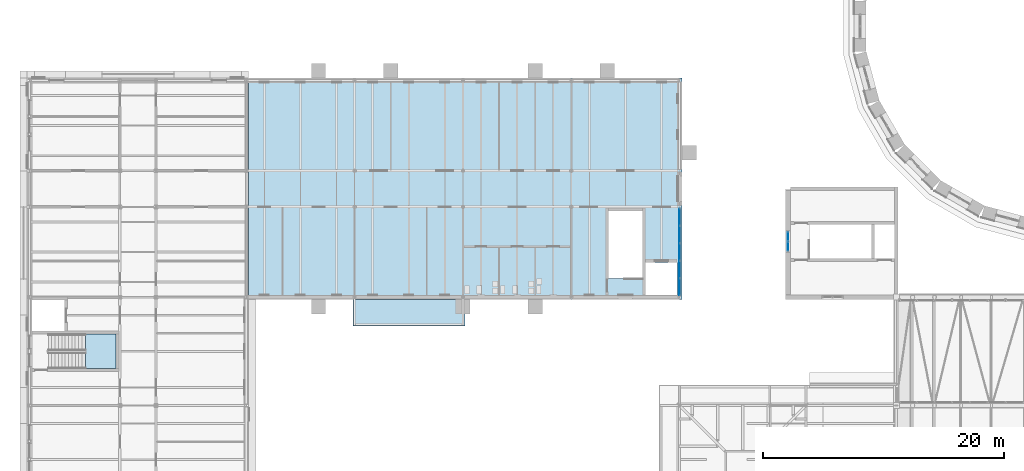
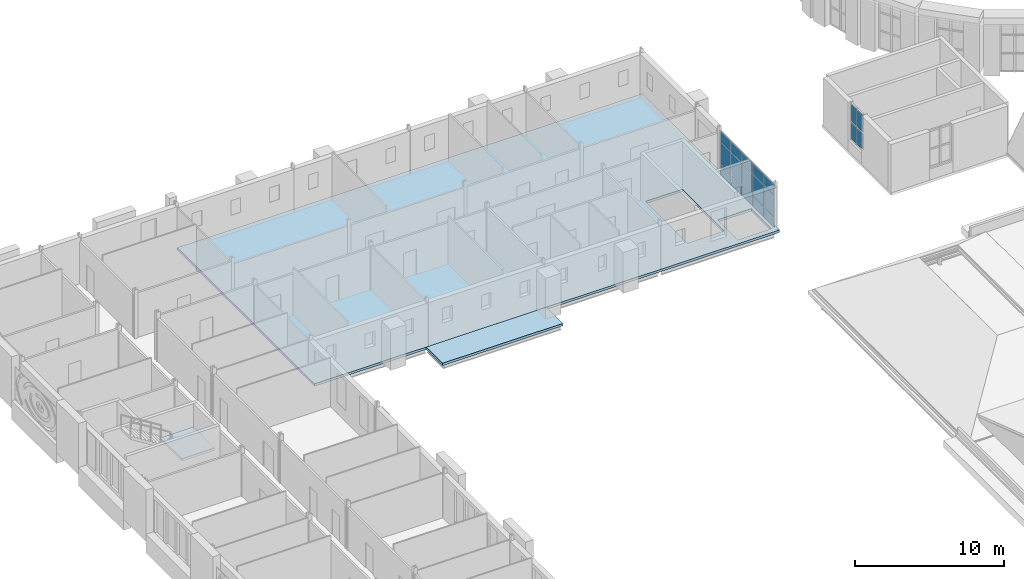
# One storey, part 81 of 121: 19 plates, 3 slabs, 3 elements without a shape of their own.
"""IFC4 building model written with IfcOpenShell, lengths in metres."""

import ifcopenshell
import ifcopenshell.guid

model = None  # the IFC model being written
_history = None  # IfcOwnerHistory: only IFC2X3 demands one
_inside = {}  # id of a spatial element -> (the spatial element, [elements in it])
_under = {}  # id of a project, library or spatial element -> (it, [spatial elements below it])
_declared = {}  # id of a project -> (the project, [libraries it declares])
_typed = {}  # id of a type object -> (the type object, [elements of that type])
_made_of = {}  # id of a material, layer set ... -> (it, [elements and type objects made of it])


def new_model(schema):
    """Start an empty IFC model of exactly this schema.

    Asked for "IFC4X3", IfcOpenShell would pick the latest addendum, in which some entities
    have other attributes; the version numbers below select the first issue.
    IFC2X3 requires an IfcOwnerHistory on every rooted entity: one is made here for all.
    """
    global model, _history
    if schema == "IFC4X3":
        model = ifcopenshell.file(schema_version=(4, 3, 0, 0))
    else:
        model = ifcopenshell.file(schema=schema)
    _inside.clear()
    _under.clear()
    _declared.clear()
    _typed.clear()
    _made_of.clear()
    _history = None
    if model.schema == "IFC2X3":
        org = make("IfcOrganization", Name="unknown")
        user = make(
            "IfcPersonAndOrganization",
            ThePerson=make("IfcPerson", FamilyName="unknown"),
            TheOrganization=org,
        )
        app = make(
            "IfcApplication",
            ApplicationDeveloper=org,
            Version="unknown",
            ApplicationFullName="unknown",
            ApplicationIdentifier="unknown",
        )
        _history = make(
            "IfcOwnerHistory",
            OwningUser=user,
            OwningApplication=app,
            ChangeAction="ADDED",
            CreationDate=0,
        )
    return model


def make(cls, **values):
    """One entity of the class cls with the attributes given. An attribute that is None is left unset."""
    return model.create_entity(
        cls, **{name: value for name, value in values.items() if value is not None}
    )


def rooted(cls, **values):
    """An entity with a GlobalId (a new one), such as an element, a storey or a relation."""
    return make(cls, GlobalId=ifcopenshell.guid.new(), OwnerHistory=_history, **values)


def si_unit(unit_type, name, prefix=None):
    """IfcSIUnit, for example si_unit("LENGTHUNIT", "METRE", prefix="MILLI")."""
    return make("IfcSIUnit", UnitType=unit_type, Prefix=prefix, Name=name)


def assignment(units):
    """IfcUnitAssignment: the units of a project."""
    return None if units is None else make("IfcUnitAssignment", Units=units)


def point(xyz):
    """IfcCartesianPoint."""
    return None if xyz is None else make("IfcCartesianPoint", Coordinates=xyz)


def direction(xyz):
    """IfcDirection."""
    return None if xyz is None else make("IfcDirection", DirectionRatios=xyz)


def frame(location, z_axis=None, x_axis=None):
    """IfcAxis2Placement3D, a coordinate frame: its origin and axes. An axis left out is left unset."""
    return make(
        "IfcAxis2Placement3D",
        Location=point(location),
        Axis=direction(z_axis),
        RefDirection=direction(x_axis),
    )


def frame_2d(location, x_axis=None):
    """IfcAxis2Placement2D, a coordinate frame in the plane: its origin and x axis."""
    return make(
        "IfcAxis2Placement2D", Location=point(location), RefDirection=direction(x_axis)
    )


def origin():
    """The frame at (0, 0, 0) with its axes left unset."""
    return frame((0.0, 0.0, 0.0))


def origin_2d():
    """The frame at (0, 0) in the plane with its x axis left unset."""
    return frame_2d((0.0, 0.0))


def place(relative_to, where):
    """IfcLocalPlacement: puts the frame where relative to a parent placement (None: the world)."""
    return make(
        "IfcLocalPlacement", PlacementRelTo=relative_to, RelativePlacement=where
    )


def context(
    kind, dimensions, precision=None, world=None, true_north=None, identifier=None
):
    """IfcGeometricRepresentationContext, for example the 3D "Model" context."""
    return make(
        "IfcGeometricRepresentationContext",
        ContextIdentifier=identifier,
        ContextType=kind,
        CoordinateSpaceDimension=dimensions,
        Precision=precision,
        WorldCoordinateSystem=world,
        TrueNorth=true_north,
    )


def subcontext(parent, identifier, kind, view, scale=None):
    """IfcGeometricRepresentationSubContext, for example "Body" below "Model"."""
    return make(
        "IfcGeometricRepresentationSubContext",
        ContextIdentifier=identifier,
        ContextType=kind,
        ParentContext=parent,
        TargetScale=scale,
        TargetView=view,
    )


def project(units=None, contexts=None):
    """IfcProject with its units and contexts."""
    return rooted(
        "IfcProject",
        Name="project",
        RepresentationContexts=contexts,
        UnitsInContext=assignment(units),
    )


def spatial(cls, under=None, at=None, **own):
    """A site, building, storey or space (cls), placed at a placement, below another one or the project."""
    s = rooted(cls, ObjectPlacement=at, **own)
    if under is not None:
        _under.setdefault(under.id(), (under, []))[1].append(s)
    return s


def polyline(points):
    """IfcPolyline through the points."""
    return make("IfcPolyline", Points=[point(p) for p in points])


def profile(cls, at=None, kind="AREA", **sizes):
    """A parametric profile (cls). Its sizes go by their IFC names, for example OverallWidth=200.0."""
    return make(cls, ProfileType=kind, Position=at, **sizes)


def rectangle(**sizes):
    """IfcRectangleProfileDef."""
    return profile("IfcRectangleProfileDef", **sizes)


def outline(outer, holes=None, kind="AREA"):
    """IfcArbitraryClosedProfileDef: a profile drawn as a closed curve; with holes, ...WithVoids."""
    if holes is None:
        return make("IfcArbitraryClosedProfileDef", ProfileType=kind, OuterCurve=outer)
    return make(
        "IfcArbitraryProfileDefWithVoids",
        ProfileType=kind,
        OuterCurve=outer,
        InnerCurves=holes,
    )


def extrude(swept, where, along, depth):
    """IfcExtrudedAreaSolid: the profile swept, set in the frame where, extruded along a direction by depth."""
    return make(
        "IfcExtrudedAreaSolid",
        SweptArea=swept,
        Position=where,
        ExtrudedDirection=direction(along),
        Depth=depth,
    )


def shape(context_of_items, identifier, shape_type, items):
    """IfcShapeRepresentation: the items that make up one representation, for example the "Body"."""
    return make(
        "IfcShapeRepresentation",
        ContextOfItems=context_of_items,
        RepresentationIdentifier=identifier,
        RepresentationType=shape_type,
        Items=items,
    )


def material(Name=None, Category=None):
    """IfcMaterial."""
    return make("IfcMaterial", Name=Name, Category=Category)


def layer(
    of_material, thickness, ventilated=None, Name=None, Category=None, Priority=None
):
    """IfcMaterialLayer: one layer of a wall or slab, of a material (None: an air gap)."""
    return make(
        "IfcMaterialLayer",
        Material=of_material,
        LayerThickness=thickness,
        IsVentilated=ventilated,
        Name=Name,
        Category=Category,
        Priority=Priority,
    )


def layer_set(layers, Name=None):
    """IfcMaterialLayerSet."""
    return make("IfcMaterialLayerSet", MaterialLayers=layers, LayerSetName=Name)


def made_of(thing, what):
    """Note that an element or type object is made of a material, layer set ...; save() writes the relation."""
    if what is not None:
        _made_of.setdefault(what.id(), (what, []))[1].append(thing)
    return thing


def type_object(cls, material=None, **own):
    """A type object (cls), such as IfcWallType, which elements share."""
    return made_of(rooted(cls, **own), material)


def element(
    cls,
    number,
    at=None,
    inside=None,
    cuts=None,
    type_object=None,
    material=None,
    context=None,
    identifier="Body",
    shape_type=None,
    held_by="IfcProductDefinitionShape",
    body=None,
    shapes=None,
    **own,
):
    """One element of the class cls, such as IfcWall. Its Tag is "e" and its number.

    at: its placement. inside: the storey or other place that contains it. cuts: it is an
    opening in that element (IfcRelVoidsElement). A single representation is given by context,
    identifier, shape_type and body (its items); several are given by shapes. held_by: the class
    of the entity that holds the representations. save() writes the other relations.
    """
    e = rooted(cls, Tag="e%d" % number, ObjectPlacement=at, **own)
    if body is not None:
        shapes = [shape(context, identifier, shape_type, body)]
    if shapes is not None:
        e.Representation = make(held_by, Representations=shapes)
    if inside is not None:
        _inside.setdefault(inside.id(), (inside, []))[1].append(e)
    if cuts is not None:
        rooted(
            "IfcRelVoidsElement", RelatingBuildingElement=cuts, RelatedOpeningElement=e
        )
    if type_object is not None:
        _typed.setdefault(type_object.id(), (type_object, []))[1].append(e)
    return made_of(e, material)


def aggregate(whole, parts):
    """IfcRelAggregates: a whole, such as a stair, and the parts it consists of."""
    return rooted("IfcRelAggregates", RelatingObject=whole, RelatedObjects=parts)


def save(model, path):
    """Write the relations noted so far, then the file.

    IfcRelAggregates (storeys below a building ...), IfcRelContainedInSpatialStructure (elements
    in a storey), IfcRelDefinesByType, IfcRelAssociatesMaterial and IfcRelDeclares: one each for
    every whole, place, type object, material and project.
    """
    for whole, parts in _under.values():
        aggregate(whole, parts)
    for where, things in _inside.values():
        rooted(
            "IfcRelContainedInSpatialStructure",
            RelatedElements=things,
            RelatingStructure=where,
        )
    for kind, things in _typed.values():
        rooted("IfcRelDefinesByType", RelatedObjects=things, RelatingType=kind)
    for what, things in _made_of.values():
        rooted("IfcRelAssociatesMaterial", RelatedObjects=things, RelatingMaterial=what)
    for by, libraries in _declared.values():
        rooted("IfcRelDeclares", RelatingContext=by, RelatedDefinitions=libraries)
    model.write(path)


model = new_model("IFC4")

# Units and contexts
model_context = context("Model", 3, precision=1e-05, world=origin(), true_north=direction((0.0, 1.0)))
body_context = subcontext(model_context, "Body", "Model", "MODEL_VIEW")
ifc_project = project(units=[si_unit("LENGTHUNIT", "METRE"), si_unit("AREAUNIT", "SQUARE_METRE"), si_unit("VOLUMEUNIT", "CUBIC_METRE"), si_unit("PLANEANGLEUNIT", "RADIAN"), si_unit("MASSUNIT", "GRAM", prefix="KILO")], contexts=[model_context])

# Site, building, storey
site_placement = place(None, origin())
site = spatial("IfcSite", under=ifc_project, at=site_placement, CompositionType="ELEMENT")
building_placement = place(site_placement, origin())
building = spatial("IfcBuilding", under=site, at=building_placement, Name="Golden Quay Civic Hall", CompositionType="ELEMENT")
storey_placement = place(building_placement, frame((0.0, 0.0, 18.60009765625)))
storey = spatial("IfcBuildingStorey", under=building, at=storey_placement, Name="L04", CompositionType="ELEMENT", Elevation=18.60009765625)

# Slab
ifc_material_1 = material(Name="Concrete C35/45", Category="concrete")
ifc_layer_1 = layer(ifc_material_1, 0.199951171875)
ifc_layer_set_1 = layer_set([ifc_layer_1], Name="Composite floor 200")
slab_type_1 = type_object("IfcSlabType", Name="Composite floor 200", PredefinedType="FLOOR", material=ifc_layer_set_1)
slab_1_placement = place(storey_placement, frame((0.0, 0.0, -0.2001953125)))
element("IfcSlab", 1, at=slab_1_placement, inside=storey, type_object=slab_type_1, Name="NW floor L04", PredefinedType="FLOOR", context=body_context, shape_type="SweptSolid", body=[
    extrude(outline(polyline([(18.199951171875, 62.800048828125), (18.199951171875, 81.199951171875), (54.199951171875, 81.199951171875), (54.199951171875, 62.800048828125), (18.199951171875, 62.800048828125)]), holes=[polyline([(48.074951171875, 70.175048828125), (48.074951171875, 64.554931640625), (50.925048828125, 64.554931640625), (50.925048828125, 70.175048828125), (48.074951171875, 70.175048828125)]), polyline([(53.800048828125, 65.89990234375), (51.175048828125, 65.89990234375), (51.175048828125, 63.199951171875), (53.800048828125, 63.199951171875), (53.800048828125, 65.89990234375)])]), origin(), (0.0, 0.0, 1.0), 0.2001953125),
])

# Stair, slab
ifc_material_2 = material(Name="Concrete C35/45", Category="concrete")
stair_type = type_object("IfcStairType", Name="Concrete stair 1350 wide 24 risers of 175.0", PredefinedType="HALF_TURN_STAIR", material=ifc_material_2)
stair_placement = place(storey_placement, origin())
stair = element("IfcStair", 2, at=stair_placement, inside=storey, type_object=stair_type, Name="L04 Stair WO-N", PredefinedType="HALF_TURN_STAIR")
ifc_material_3 = material(Name="Concrete C35/45", Category="concrete")
ifc_layer_2 = layer(ifc_material_3, 0.199951171875)
ifc_layer_set_2 = layer_set([ifc_layer_2], Name="Concrete stair landing 200, Concrete C35/45")
slab_type_2 = type_object("IfcSlabType", Name="Concrete stair landing 200", PredefinedType="LANDING", material=ifc_layer_set_2)
slab_2_placement = place(storey_placement, frame((0.0, 0.0, 1.89990234375)))
slab_2 = element("IfcSlab", 3, at=slab_2_placement, type_object=slab_type_2, Name="WO-N landing 1", PredefinedType="LANDING", context=body_context, shape_type="SweptSolid", body=[
    extrude(outline(polyline([(4.6298828125, 57.074951171875), (7.175048828125, 57.074951171875), (7.175048828125, 59.925048828125), (4.6298828125, 59.925048828125), (4.6298828125, 57.074951171875)])), origin(), (0.0, 0.0, 1.0), 0.199951171875),
])
aggregate(stair, [slab_2])

# Curtain wall, plates
ifc_material_4 = material(Name="Glass, laminated double glazed", Category="glass")
ifc_layer_3 = layer(ifc_material_4, 0.199951171875)
ifc_layer_set_3 = layer_set([ifc_layer_3], Name="Glazed core strip curtain wall")
curtain_wall_type_1 = type_object("IfcCurtainWallType", Name="Glazed core strip curtain wall", PredefinedType="NOTDEFINED", material=ifc_layer_set_3)
curtain_wall_1_placement = place(storey_placement, origin())
curtain_wall_1 = element("IfcCurtainWall", 4, at=curtain_wall_1_placement, inside=storey, type_object=curtain_wall_type_1, Name="Glazed core strip curtain wall L04 2", PredefinedType="NOTDEFINED")
ifc_material_5 = material(Name="Glass, laminated double glazed", Category="glass")
ifc_layer_4 = layer(ifc_material_5, 0.028076171875)
ifc_layer_set_4 = layer_set([ifc_layer_4], Name="Double glazed curtain wall panel 28")
plate_type_1 = type_object("IfcPlateType", Name="Double glazed curtain wall panel 28", PredefinedType="CURTAIN_PANEL", material=ifc_layer_set_4)
plate_1_placement = place(storey_placement, frame((54.0, 69.658935546875, 0.059814453125), z_axis=(0.0, 0.0, 1.0), x_axis=(0.0, -1.0, 0.0)))
plate_1 = element("IfcPlate", 5, at=plate_1_placement, type_object=plate_type_1, Name="CW2 panel 1.1", PredefinedType="CURTAIN_PANEL", context=body_context, shape_type="SweptSolid", body=[
    extrude(rectangle(XDim=1.3720703125, YDim=0.028076171875, at=origin_2d()), origin(), (0.0, 0.0, 1.0), 0.81005859375),
])
plate_2_placement = place(storey_placement, frame((54.0, 69.658935546875, 0.9296875), z_axis=(0.0, 0.0, 1.0), x_axis=(0.0, -1.0, 0.0)))
plate_2 = element("IfcPlate", 6, at=plate_2_placement, type_object=plate_type_1, Name="CW2 panel 1.2", PredefinedType="CURTAIN_PANEL", context=body_context, shape_type="SweptSolid", body=[
    extrude(rectangle(XDim=1.3720703125, YDim=0.028076171875, at=origin_2d()), origin(), (0.0, 0.0, 1.0), 1.739990234375),
])
plate_3_placement = place(storey_placement, frame((54.0, 69.658935546875, 2.72998046875), z_axis=(0.0, 0.0, 1.0), x_axis=(0.0, -1.0, 0.0)))
plate_3 = element("IfcPlate", 7, at=plate_3_placement, type_object=plate_type_1, Name="CW2 panel 1.3", PredefinedType="CURTAIN_PANEL", context=body_context, shape_type="SweptSolid", body=[
    extrude(rectangle(XDim=1.3720703125, YDim=0.028076171875, at=origin_2d()), origin(), (0.0, 0.0, 1.0), 0.830078125),
])
plate_4_placement = place(storey_placement, frame((54.0, 68.2119140625, 0.059814453125), z_axis=(0.0, 0.0, 1.0), x_axis=(0.0, -1.0, 0.0)))
plate_4 = element("IfcPlate", 8, at=plate_4_placement, type_object=plate_type_1, Name="CW2 panel 2.1", PredefinedType="CURTAIN_PANEL", context=body_context, shape_type="SweptSolid", body=[
    extrude(rectangle(XDim=1.402099609375, YDim=0.028076171875, at=origin_2d()), origin(), (0.0, 0.0, 1.0), 0.81005859375),
])
plate_5_placement = place(storey_placement, frame((54.0, 68.2119140625, 0.9296875), z_axis=(0.0, 0.0, 1.0), x_axis=(0.0, -1.0, 0.0)))
plate_5 = element("IfcPlate", 9, at=plate_5_placement, type_object=plate_type_1, Name="CW2 panel 2.2", PredefinedType="CURTAIN_PANEL", context=body_context, shape_type="SweptSolid", body=[
    extrude(rectangle(XDim=1.402099609375, YDim=0.028076171875, at=origin_2d()), origin(), (0.0, 0.0, 1.0), 1.739990234375),
])
plate_6_placement = place(storey_placement, frame((54.0, 68.2119140625, 2.72998046875), z_axis=(0.0, 0.0, 1.0), x_axis=(0.0, -1.0, 0.0)))
plate_6 = element("IfcPlate", 10, at=plate_6_placement, type_object=plate_type_1, Name="CW2 panel 2.3", PredefinedType="CURTAIN_PANEL", context=body_context, shape_type="SweptSolid", body=[
    extrude(rectangle(XDim=1.402099609375, YDim=0.028076171875, at=origin_2d()), origin(), (0.0, 0.0, 1.0), 0.830078125),
])
plate_7_placement = place(storey_placement, frame((54.0, 66.75, 0.059814453125), z_axis=(0.0, 0.0, 1.0), x_axis=(0.0, -1.0, 0.0)))
plate_7 = element("IfcPlate", 11, at=plate_7_placement, type_object=plate_type_1, Name="CW2 panel 3.1", PredefinedType="CURTAIN_PANEL", context=body_context, shape_type="SweptSolid", body=[
    extrude(rectangle(XDim=1.402099609375, YDim=0.028076171875, at=origin_2d()), origin(), (0.0, 0.0, 1.0), 0.81005859375),
])
plate_8_placement = place(storey_placement, frame((54.0, 66.75, 0.9296875), z_axis=(0.0, 0.0, 1.0), x_axis=(0.0, -1.0, 0.0)))
plate_8 = element("IfcPlate", 12, at=plate_8_placement, type_object=plate_type_1, Name="CW2 panel 3.2", PredefinedType="CURTAIN_PANEL", context=body_context, shape_type="SweptSolid", body=[
    extrude(rectangle(XDim=1.402099609375, YDim=0.028076171875, at=origin_2d()), origin(), (0.0, 0.0, 1.0), 1.739990234375),
])
plate_9_placement = place(storey_placement, frame((54.0, 66.75, 2.72998046875), z_axis=(0.0, 0.0, 1.0), x_axis=(0.0, -1.0, 0.0)))
plate_9 = element("IfcPlate", 13, at=plate_9_placement, type_object=plate_type_1, Name="CW2 panel 3.3", PredefinedType="CURTAIN_PANEL", context=body_context, shape_type="SweptSolid", body=[
    extrude(rectangle(XDim=1.402099609375, YDim=0.028076171875, at=origin_2d()), origin(), (0.0, 0.0, 1.0), 0.830078125),
])
plate_10_placement = place(storey_placement, frame((54.0, 65.2880859375, 0.059814453125), z_axis=(0.0, 0.0, 1.0), x_axis=(0.0, -1.0, 0.0)))
plate_10 = element("IfcPlate", 14, at=plate_10_placement, type_object=plate_type_1, Name="CW2 panel 4.1", PredefinedType="CURTAIN_PANEL", context=body_context, shape_type="SweptSolid", body=[
    extrude(rectangle(XDim=1.402099609375, YDim=0.028076171875, at=origin_2d()), origin(), (0.0, 0.0, 1.0), 0.81005859375),
])
plate_11_placement = place(storey_placement, frame((54.0, 65.2880859375, 0.9296875), z_axis=(0.0, 0.0, 1.0), x_axis=(0.0, -1.0, 0.0)))
plate_11 = element("IfcPlate", 15, at=plate_11_placement, type_object=plate_type_1, Name="CW2 panel 4.2", PredefinedType="CURTAIN_PANEL", context=body_context, shape_type="SweptSolid", body=[
    extrude(rectangle(XDim=1.402099609375, YDim=0.028076171875, at=origin_2d()), origin(), (0.0, 0.0, 1.0), 1.739990234375),
])
plate_12_placement = place(storey_placement, frame((54.0, 65.2880859375, 2.72998046875), z_axis=(0.0, 0.0, 1.0), x_axis=(0.0, -1.0, 0.0)))
plate_12 = element("IfcPlate", 16, at=plate_12_placement, type_object=plate_type_1, Name="CW2 panel 4.3", PredefinedType="CURTAIN_PANEL", context=body_context, shape_type="SweptSolid", body=[
    extrude(rectangle(XDim=1.402099609375, YDim=0.028076171875, at=origin_2d()), origin(), (0.0, 0.0, 1.0), 0.830078125),
])
plate_13_placement = place(storey_placement, frame((54.0, 63.841064453125, 0.059814453125), z_axis=(0.0, 0.0, 1.0), x_axis=(0.0, -1.0, 0.0)))
plate_13 = element("IfcPlate", 17, at=plate_13_placement, type_object=plate_type_1, Name="CW2 panel 5.1", PredefinedType="CURTAIN_PANEL", context=body_context, shape_type="SweptSolid", body=[
    extrude(rectangle(XDim=1.3720703125, YDim=0.028076171875, at=origin_2d()), origin(), (0.0, 0.0, 1.0), 0.81005859375),
])
plate_14_placement = place(storey_placement, frame((54.0, 63.841064453125, 0.9296875), z_axis=(0.0, 0.0, 1.0), x_axis=(0.0, -1.0, 0.0)))
plate_14 = element("IfcPlate", 18, at=plate_14_placement, type_object=plate_type_1, Name="CW2 panel 5.2", PredefinedType="CURTAIN_PANEL", context=body_context, shape_type="SweptSolid", body=[
    extrude(rectangle(XDim=1.3720703125, YDim=0.028076171875, at=origin_2d()), origin(), (0.0, 0.0, 1.0), 1.739990234375),
])
plate_15_placement = place(storey_placement, frame((54.0, 63.841064453125, 2.72998046875), z_axis=(0.0, 0.0, 1.0), x_axis=(0.0, -1.0, 0.0)))
plate_15 = element("IfcPlate", 19, at=plate_15_placement, type_object=plate_type_1, Name="CW2 panel 5.3", PredefinedType="CURTAIN_PANEL", context=body_context, shape_type="SweptSolid", body=[
    extrude(rectangle(XDim=1.3720703125, YDim=0.028076171875, at=origin_2d()), origin(), (0.0, 0.0, 1.0), 0.830078125),
])
aggregate(curtain_wall_1, [plate_1, plate_2, plate_3, plate_4, plate_5, plate_6, plate_7, plate_8, plate_9, plate_10, plate_11, plate_12, plate_13, plate_14, plate_15])

ifc_material_6 = material(Name="Fire-resisting glass and steel", Category="steel")
curtain_wall_type_2 = type_object("IfcCurtainWallType", Name="Fire-resisting glazed stair curtain wall EI 120", PredefinedType="NOTDEFINED", material=ifc_material_6)
curtain_wall_2_placement = place(storey_placement, origin())
curtain_wall_2 = element("IfcCurtainWall", 20, at=curtain_wall_2_placement, inside=storey, type_object=curtain_wall_type_2, Name="CW4 stair curtain wall", PredefinedType="NOTDEFINED")
ifc_material_7 = material(Name="Fire-resisting laminated glass", Category="glass")
ifc_layer_5 = layer(ifc_material_7, 0.0400390625)
ifc_layer_set_5 = layer_set([ifc_layer_5], Name="Fire-resisting glazed stair panel 40")
plate_type_2 = type_object("IfcPlateType", Name="Fire-resisting glazed stair panel 40", PredefinedType="CURTAIN_PANEL", material=ifc_layer_set_5)
plate_16_placement = place(storey_placement, frame((63.0, 67.205078125, 1.02001953125), z_axis=(0.0, 0.0, 1.0), x_axis=(0.0, 1.0, 0.0)))
plate_16 = element("IfcPlate", 21, at=plate_16_placement, type_object=plate_type_2, Name="CW4 panel 1.1", PredefinedType="CURTAIN_PANEL", context=body_context, shape_type="SweptSolid", body=[
    extrude(rectangle(XDim=0.719970703125, YDim=0.0400390625, at=origin_2d()), origin(), (0.0, 0.0, 1.0), 1.320068359375),
])
plate_17_placement = place(storey_placement, frame((63.0, 67.205078125, 2.4599609375), z_axis=(0.0, 0.0, 1.0), x_axis=(0.0, 1.0, 0.0)))
plate_17 = element("IfcPlate", 22, at=plate_17_placement, type_object=plate_type_2, Name="CW4 panel 1.2", PredefinedType="CURTAIN_PANEL", context=body_context, shape_type="SweptSolid", body=[
    extrude(rectangle(XDim=0.719970703125, YDim=0.0400390625, at=origin_2d()), origin(), (0.0, 0.0, 1.0), 1.3701171875),
])
plate_18_placement = place(storey_placement, frame((63.0, 68.044921875, 1.02001953125), z_axis=(0.0, 0.0, 1.0), x_axis=(0.0, 1.0, 0.0)))
plate_18 = element("IfcPlate", 23, at=plate_18_placement, type_object=plate_type_2, Name="CW4 panel 2.1", PredefinedType="CURTAIN_PANEL", context=body_context, shape_type="SweptSolid", body=[
    extrude(rectangle(XDim=0.719970703125, YDim=0.0400390625, at=origin_2d()), origin(), (0.0, 0.0, 1.0), 1.320068359375),
])
plate_19_placement = place(storey_placement, frame((63.0, 68.044921875, 2.4599609375), z_axis=(0.0, 0.0, 1.0), x_axis=(0.0, 1.0, 0.0)))
plate_19 = element("IfcPlate", 24, at=plate_19_placement, type_object=plate_type_2, Name="CW4 panel 2.2", PredefinedType="CURTAIN_PANEL", context=body_context, shape_type="SweptSolid", body=[
    extrude(rectangle(XDim=0.719970703125, YDim=0.0400390625, at=origin_2d()), origin(), (0.0, 0.0, 1.0), 1.3701171875),
])
aggregate(curtain_wall_2, [plate_16, plate_17, plate_18, plate_19])

# Slab
ifc_material_8 = material(Name="Concrete C35/45", Category="concrete")
ifc_layer_6 = layer(ifc_material_8, 0.199951171875)
ifc_layer_set_6 = layer_set([ifc_layer_6], Name="Loggia roof slab 200")
slab_type_3 = type_object("IfcSlabType", Name="Loggia roof slab 200", PredefinedType="ROOF", material=ifc_layer_set_6)
slab_3_placement = place(storey_placement, frame((0.0, 0.0, -0.2001953125)))
element("IfcSlab", 25, at=slab_3_placement, inside=storey, type_object=slab_type_3, Name="Loggia roof slab 200 L04 1", PredefinedType="ROOF", context=body_context, shape_type="SweptSolid", body=[
    extrude(outline(polyline([(26.85009765625, 62.800048828125), (36.14990234375, 62.800048828125), (36.14990234375, 60.60009765625), (26.85009765625, 60.60009765625), (26.85009765625, 62.800048828125)])), origin(), (0.0, 0.0, 1.0), 0.2001953125),
])

save(model, "model.ifc")
